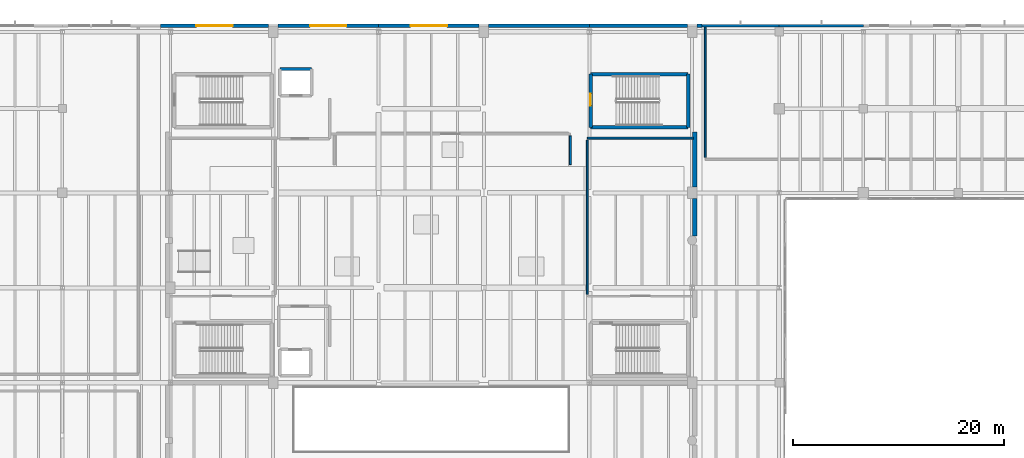
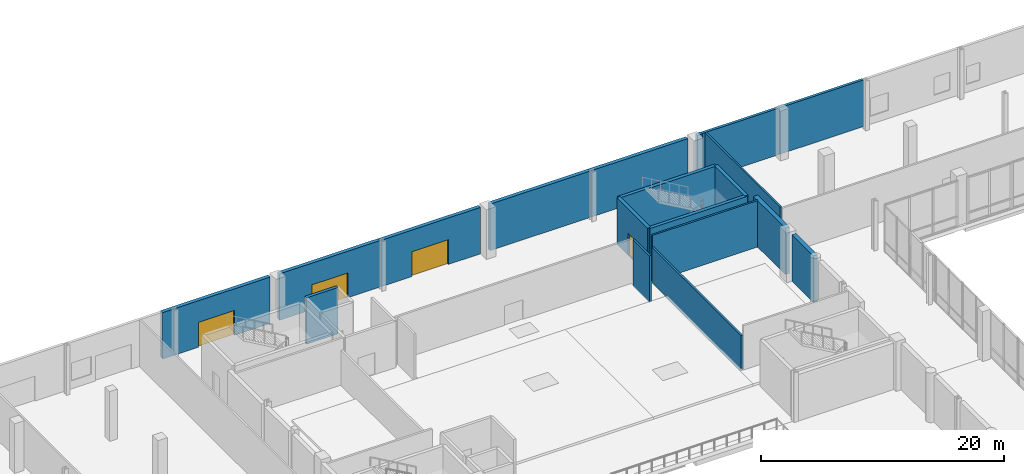
# One storey, part 73 of 88: 19 walls, 4 doors, 4 openings.
"""IFC4 building model written with IfcOpenShell, lengths in metres."""

from ifc_helpers import new_model, si_unit, direction, frame, frame_2d, origin, place, context, subcontext, project, spatial, rectangle, extrude, material, layer, layer_set, type_object, element, fill, save


model = new_model("IFC4")

# Units and contexts
model_context = context("Model", 3, precision=1e-05, world=origin(), true_north=direction((0.0, 1.0)))
body_context = subcontext(model_context, "Body", "Model", "MODEL_VIEW")
ifc_project = project(units=[si_unit("LENGTHUNIT", "METRE"), si_unit("AREAUNIT", "SQUARE_METRE"), si_unit("VOLUMEUNIT", "CUBIC_METRE"), si_unit("PLANEANGLEUNIT", "RADIAN"), si_unit("MASSUNIT", "GRAM", prefix="KILO")], contexts=[model_context])

# Site, building, storey
site_placement = place(None, origin())
site = spatial("IfcSite", under=ifc_project, at=site_placement, CompositionType="ELEMENT")
building_placement = place(site_placement, origin())
building = spatial("IfcBuilding", under=site, at=building_placement, Name="Trimount Lyric Opera House", CompositionType="ELEMENT")
storey_placement = place(building_placement, origin())
storey = spatial("IfcBuildingStorey", under=building, at=storey_placement, Name="L00", CompositionType="ELEMENT", Elevation=0.0)

# Walls
ifc_material_1 = material(Name="Acoustic Double-Stud Gypsum Board")
ifc_layer_1 = layer(ifc_material_1, 0.1650390625)
ifc_layer_set_1 = layer_set([ifc_layer_1], Name="WL-PT165")
wall_type_1 = type_object("IfcWallType", Name="WL-PT165", PredefinedType="PARTITIONING", material=ifc_layer_set_1)
wall_1_placement = place(storey_placement, frame((115.0, 117.719970703125, 0.0), z_axis=(0.0, 0.0, 1.0), x_axis=(0.0, -1.0, 0.0)))
element("IfcWall", 1, at=wall_1_placement, inside=storey, type_object=wall_type_1, Name="L00 Scenic Welding & Paint Frame Hall W partition", PredefinedType="PARTITIONING", context=body_context, shape_type="SweptSolid", body=[
    extrude(rectangle(XDim=12.35498046875, YDim=0.1650390625, at=frame_2d((6.177490234375, 0.0))), origin(), (0.0, 0.0, 1.0), 4.68994140625),
])
ifc_material_2 = material(Name="Acoustic Double-Stud Gypsum Board")
ifc_layer_2 = layer(ifc_material_2, 0.179931640625)
ifc_layer_set_2 = layer_set([ifc_layer_2], Name="WL-PT180")
wall_type_2 = type_object("IfcWallType", Name="WL-PT180", PredefinedType="PARTITIONING", material=ifc_layer_set_2)
wall_2_placement = place(storey_placement, frame((113.860107421875, 107.199951171875, 0.0), z_axis=(0.0, 0.0, 1.0), x_axis=(-1.0, 0.0, 0.0)))
element("IfcWall", 2, at=wall_2_placement, inside=storey, type_object=wall_type_2, Name="L00 East Side Stage N partition", PredefinedType="PARTITIONING", context=body_context, shape_type="SweptSolid", body=[
    extrude(rectangle(XDim=10.06005859375, YDim=0.179931640625, at=frame_2d((5.030029296875, 0.0))), origin(), (0.0, 0.0, 1.0), 4.675048828125),
])
wall_3_placement = place(storey_placement, frame((103.800048828125, 107.02001953125, 0.0), z_axis=(0.0, 0.0, 1.0), x_axis=(0.0, -1.0, 0.0)))
element("IfcWall", 3, at=wall_3_placement, inside=storey, type_object=wall_type_2, Name="L00 East Side Stage W partition", PredefinedType="PARTITIONING", context=body_context, shape_type="SweptSolid", body=[
    extrude(rectangle(XDim=14.64013671875, YDim=0.179931640625, at=frame_2d((7.320068359375, 0.0))), origin(), (0.0, 0.0, 1.0), 3.572998046875),
])
wall_4_placement = place(storey_placement, frame((102.199951171875, 104.679931640625, 0.0), z_axis=(0.0, 0.0, 1.0), x_axis=(0.0, 1.0, 0.0)))
element("IfcWall", 4, at=wall_4_placement, inside=storey, type_object=wall_type_2, Name="L00 Rear Stage E partition", PredefinedType="PARTITIONING", context=body_context, shape_type="SweptSolid", body=[
    extrude(rectangle(XDim=2.739990234375, YDim=0.179931640625, at=frame_2d((1.3701171875, 0.0))), origin(), (0.0, 0.0, 1.0), 4.675048828125),
])
ifc_material_3 = material(Name="Concrete C40/50", Category="concrete")
ifc_layer_3 = layer(ifc_material_3, 0.280029296875)
ifc_layer_set_3 = layer_set([ifc_layer_3], Name="WL-SH280")
wall_type_3 = type_object("IfcWallType", Name="WL-SH280", PredefinedType="SHEAR", material=ifc_layer_set_3)
wall_5_placement = place(storey_placement, frame((77.639892578125, 113.739990234375, 0.0), z_axis=(0.0, 0.0, 1.0), x_axis=(-1.0, 0.0, 0.0)))
element("IfcWall", 5, at=wall_5_placement, inside=storey, type_object=wall_type_3, Name="Lift LF-05 L00 north shaft wall", PredefinedType="SHEAR", context=body_context, shape_type="SweptSolid", body=[
    extrude(rectangle(XDim=2.97998046875, YDim=0.280029296875, at=frame_2d((1.489990234375, 0.0))), origin(), (0.0, 0.0, 1.0), 4.675048828125),
])
ifc_material_4 = material(Name="Concrete C40/50", Category="concrete")
ifc_layer_4 = layer(ifc_material_4, 0.320068359375)
ifc_layer_set_4 = layer_set([ifc_layer_4], Name="WL-SH320")
wall_type_4 = type_object("IfcWallType", Name="WL-SH320", PredefinedType="SHEAR", material=ifc_layer_set_4)
for number, where, z_axis, x_axis, name in (
    (6, (104.125, 108.22509765625, 0.0), (0.0, 0.0, 1.0), (1.0, 0.0, 0.0), "K2 L00 south shaft wall"),
    (7, (113.375, 113.27490234375, 0.0), (0.0, 0.0, 1.0), (-1.0, 0.0, 0.0), "K2 L00 north shaft wall"),
):
    element("IfcWall", number, at=place(storey_placement, frame(where, z_axis=z_axis, x_axis=x_axis)), inside=storey, type_object=wall_type_4, Name=name, PredefinedType="SHEAR", context=body_context, shape_type="SweptSolid", body=[
        extrude(rectangle(XDim=9.25, YDim=0.320068359375, at=frame_2d((4.625, 0.0))), origin(), (0.0, 0.0, 1.0), 4.675048828125),
    ])

# Wall, opening, door
wall_6_placement = place(storey_placement, frame((104.125, 113.27490234375, 0.0), z_axis=(0.0, 0.0, 1.0), x_axis=(0.0, -1.0, 0.0)))
wall_6 = element("IfcWall", 8, at=wall_6_placement, inside=storey, type_object=wall_type_4, Name="K2 L00 west shaft wall", PredefinedType="SHEAR", context=body_context, shape_type="SweptSolid", body=[
    extrude(rectangle(XDim=5.0498046875, YDim=0.320068359375, at=frame_2d((2.52490234375, 0.0))), origin(), (0.0, 0.0, 1.0), 4.675048828125),
])
opening_1_placement = place(wall_6_placement, frame((1.85009765625, 0.0, 0.0)))
opening_1 = element("IfcOpeningElement", 9, at=opening_1_placement, cuts=wall_6, Name="Opening DT-ST1", PredefinedType="OPENING", context=body_context, shape_type="SweptSolid", body=[
    extrude(rectangle(XDim=1.14990234375, YDim=2.199951171875, at=frame_2d((0.574951171875, 1.10009765625))), frame((0.0, 0.169921875, 0.0), z_axis=(0.0, -1.0, 0.0), x_axis=(1.0, 0.0, 0.0)), (0.0, 0.0, 1.0), 0.340087890625),
])
ifc_material_5 = material(Name="Fire-Rated Hollow Steel", Category="steel")
door_type_1 = type_object("IfcDoorType", Name="DT-ST1", OperationType="NOTDEFINED", PredefinedType="DOOR", material=ifc_material_5)
door_1_placement = place(opening_1_placement, origin())
door_1 = element("IfcDoor", 10, at=door_1_placement, inside=storey, type_object=door_type_1, Name="D-016", OperationType="SINGLE_SWING_RIGHT", OverallHeight=2.199951171875, OverallWidth=1.14990234375, PredefinedType="DOOR", context=body_context, shape_type="SweptSolid", body=[
    extrude(rectangle(XDim=1.14990234375, YDim=2.199951171875, at=frame_2d((0.574951171875, 1.10009765625))), frame((0.0, 0.02490234375, 0.0), z_axis=(0.0, -1.0, 0.0), x_axis=(1.0, 0.0, 0.0)), (0.0, 0.0, 1.0), 0.050048828125),
])
fill(opening_1, door_1)

# Wall
wall_7_placement = place(storey_placement, frame((113.375, 108.22509765625, 0.0), z_axis=(0.0, 0.0, 1.0), x_axis=(0.0, 1.0, 0.0)))
element("IfcWall", 11, at=wall_7_placement, inside=storey, type_object=wall_type_4, Name="K2 L00 east shaft wall", PredefinedType="SHEAR", context=body_context, shape_type="SweptSolid", body=[
    extrude(rectangle(XDim=5.0498046875, YDim=0.320068359375, at=frame_2d((2.52490234375, 0.0))), origin(), (0.0, 0.0, 1.0), 4.675048828125),
])

# Wall, opening, door
ifc_material_6 = material(Name="Concrete C40/50", Category="concrete")
ifc_layer_5 = layer(ifc_material_6, 0.35009765625)
ifc_layer_set_5 = layer_set([ifc_layer_5], Name="WL-SH350")
wall_type_5 = type_object("IfcWallType", Name="WL-SH350", PredefinedType="SHEAR", material=ifc_layer_set_5)
wall_8_placement = place(storey_placement, frame((63.320068359375, 117.860107421875, 0.0), z_axis=(0.0, 0.0, 1.0), x_axis=(1.0, 0.0, 0.0)))
wall_8 = element("IfcWall", 12, at=wall_8_placement, inside=storey, type_object=wall_type_5, Name="L00 exterior facade wall 113", PredefinedType="SHEAR", context=body_context, shape_type="SweptSolid", body=[
    extrude(rectangle(XDim=10.22998046875, YDim=0.35009765625, at=frame_2d((5.114990234375, 0.0))), origin(), (0.0, 0.0, 1.0), 4.675048828125),
])
opening_2_placement = place(wall_8_placement, frame((3.389892578125, 0.0, 0.0)))
opening_2 = element("IfcOpeningElement", 13, at=opening_2_placement, cuts=wall_8, Name="Opening DT-EXIT-1", PredefinedType="OPENING", context=body_context, shape_type="SweptSolid", body=[
    extrude(rectangle(XDim=3.449951171875, YDim=2.5, at=frame_2d((1.72509765625, 1.25))), frame((0.0, 0.18505859375, 0.0), z_axis=(0.0, -1.0, 0.0), x_axis=(1.0, 0.0, 0.0)), (0.0, 0.0, 1.0), 0.3701171875),
])
ifc_material_7 = material(Name="Anodised Bronze Glazed Assembly")
door_type_2 = type_object("IfcDoorType", Name="DT-EXIT-1", OperationType="DOUBLE_DOOR_SINGLE_SWING", PredefinedType="DOOR", material=ifc_material_7)
door_2_placement = place(opening_2_placement, origin())
door_2 = element("IfcDoor", 14, at=door_2_placement, inside=storey, type_object=door_type_2, Name="D-155", OperationType="DOUBLE_DOOR_SINGLE_SWING", OverallHeight=2.5, OverallWidth=3.449951171875, PredefinedType="DOOR", context=body_context, shape_type="SweptSolid", body=[
    extrude(rectangle(XDim=3.449951171875, YDim=2.5, at=frame_2d((1.72509765625, 1.25))), frame((0.0, 0.02490234375, 0.0), z_axis=(0.0, -1.0, 0.0), x_axis=(1.0, 0.0, 0.0)), (0.0, 0.0, 1.0), 0.050048828125),
])
fill(opening_2, door_2)

wall_9_placement = place(storey_placement, frame((74.449951171875, 117.860107421875, 0.0), z_axis=(0.0, 0.0, 1.0), x_axis=(1.0, 0.0, 0.0)))
wall_9 = element("IfcWall", 15, at=wall_9_placement, inside=storey, type_object=wall_type_5, Name="L00 exterior facade wall 114", PredefinedType="SHEAR", context=body_context, shape_type="SweptSolid", body=[
    extrude(rectangle(XDim=9.550048828125, YDim=0.35009765625, at=frame_2d((4.77490234375, 0.0))), origin(), (0.0, 0.0, 1.0), 4.675048828125),
])
opening_3_placement = place(wall_9_placement, frame((3.050048828125, 0.0, 0.0)))
opening_3 = element("IfcOpeningElement", 16, at=opening_3_placement, cuts=wall_9, Name="Opening DT-EXIT-1", PredefinedType="OPENING", context=body_context, shape_type="SweptSolid", body=[
    extrude(rectangle(XDim=3.449951171875, YDim=2.5, at=frame_2d((1.72509765625, 1.25))), frame((0.0, 0.18505859375, 0.0), z_axis=(0.0, -1.0, 0.0), x_axis=(1.0, 0.0, 0.0)), (0.0, 0.0, 1.0), 0.3701171875),
])
door_3_placement = place(opening_3_placement, origin())
door_3 = element("IfcDoor", 17, at=door_3_placement, inside=storey, type_object=door_type_2, Name="D-156", OperationType="DOUBLE_DOOR_SINGLE_SWING", OverallHeight=2.5, OverallWidth=3.449951171875, PredefinedType="DOOR", context=body_context, shape_type="SweptSolid", body=[
    extrude(rectangle(XDim=3.449951171875, YDim=2.5, at=frame_2d((1.72509765625, 1.25))), frame((0.0, 0.02490234375, 0.0), z_axis=(0.0, -1.0, 0.0), x_axis=(1.0, 0.0, 0.0)), (0.0, 0.0, 1.0), 0.050048828125),
])
fill(opening_3, door_3)

wall_10_placement = place(storey_placement, frame((84.0, 117.860107421875, 0.0), z_axis=(0.0, 0.0, 1.0), x_axis=(1.0, 0.0, 0.0)))
wall_10 = element("IfcWall", 18, at=wall_10_placement, inside=storey, type_object=wall_type_5, Name="L00 exterior facade wall 115", PredefinedType="SHEAR", context=body_context, shape_type="SweptSolid", body=[
    extrude(rectangle(XDim=9.550048828125, YDim=0.35009765625, at=frame_2d((4.77490234375, 0.0))), origin(), (0.0, 0.0, 1.0), 4.675048828125),
])
opening_4_placement = place(wall_10_placement, frame((3.050048828125, 0.0, 0.0)))
opening_4 = element("IfcOpeningElement", 19, at=opening_4_placement, cuts=wall_10, Name="Opening DT-EXIT-1", PredefinedType="OPENING", context=body_context, shape_type="SweptSolid", body=[
    extrude(rectangle(XDim=3.449951171875, YDim=2.5, at=frame_2d((1.72509765625, 1.25))), frame((0.0, 0.18505859375, 0.0), z_axis=(0.0, -1.0, 0.0), x_axis=(1.0, 0.0, 0.0)), (0.0, 0.0, 1.0), 0.3701171875),
])
door_4_placement = place(opening_4_placement, origin())
door_4 = element("IfcDoor", 20, at=door_4_placement, inside=storey, type_object=door_type_2, Name="D-157", OperationType="DOUBLE_DOOR_SINGLE_SWING", OverallHeight=2.5, OverallWidth=3.449951171875, PredefinedType="DOOR", context=body_context, shape_type="SweptSolid", body=[
    extrude(rectangle(XDim=3.449951171875, YDim=2.5, at=frame_2d((1.72509765625, 1.25))), frame((0.0, 0.02490234375, 0.0), z_axis=(0.0, -1.0, 0.0), x_axis=(1.0, 0.0, 0.0)), (0.0, 0.0, 1.0), 0.050048828125),
])
fill(opening_4, door_4)

# Walls
wall_11_placement = place(storey_placement, frame((94.449951171875, 117.860107421875, 0.0), z_axis=(0.0, 0.0, 1.0), x_axis=(1.0, 0.0, 0.0)))
element("IfcWall", 21, at=wall_11_placement, inside=storey, type_object=wall_type_5, Name="L00 exterior facade wall 116", PredefinedType="SHEAR", context=body_context, shape_type="SweptSolid", body=[
    extrude(rectangle(XDim=9.550048828125, YDim=0.35009765625, at=frame_2d((4.77490234375, 0.0))), origin(), (0.0, 0.0, 1.0), 4.675048828125),
])
wall_12_placement = place(storey_placement, frame((104.0, 117.860107421875, 0.0), z_axis=(0.0, 0.0, 1.0), x_axis=(1.0, 0.0, 0.0)))
element("IfcWall", 22, at=wall_12_placement, inside=storey, type_object=wall_type_5, Name="L00 exterior facade wall 117", PredefinedType="SHEAR", context=body_context, shape_type="SweptSolid", body=[
    extrude(rectangle(XDim=9.2900390625, YDim=0.35009765625, at=frame_2d((4.64501953125, 0.0))), origin(), (0.0, 0.0, 1.0), 4.675048828125),
])
wall_13_placement = place(storey_placement, frame((114.18994140625, 117.860107421875, 0.0), z_axis=(0.0, 0.0, 1.0), x_axis=(1.0, 0.0, 0.0)))
element("IfcWall", 23, at=wall_13_placement, inside=storey, type_object=wall_type_5, Name="L00 exterior facade wall 117", PredefinedType="SHEAR", context=body_context, shape_type="SweptSolid", body=[
    extrude(rectangle(XDim=0.489990234375, YDim=0.35009765625, at=frame_2d((0.2451171875, 0.0))), origin(), (0.0, 0.0, 1.0), 4.675048828125),
])
ifc_material_8 = material(Name="Concrete C40/50", Category="concrete")
ifc_layer_6 = layer(ifc_material_8, 0.39990234375)
ifc_layer_set_6 = layer_set([ifc_layer_6], Name="WL-SH400")
wall_type_6 = type_object("IfcWallType", Name="WL-SH400", PredefinedType="SHEAR", material=ifc_layer_set_6)
wall_14_placement = place(storey_placement, frame((114.0, 97.925048828125, 0.0), z_axis=(0.0, 0.0, 1.0), x_axis=(0.0, 1.0, 0.0)))
element("IfcWall", 24, at=wall_14_placement, inside=storey, type_object=wall_type_6, Name="L00 fly-tower east shear wall", PredefinedType="SHEAR", context=body_context, shape_type="SweptSolid", body=[
    extrude(rectangle(XDim=3.52490234375, YDim=0.39990234375, at=frame_2d((1.762451171875, 0.0))), origin(), (0.0, 0.0, 1.0), 4.675048828125),
])
wall_15_placement = place(storey_placement, frame((114.0, 102.550048828125, 0.0), z_axis=(0.0, 0.0, 1.0), x_axis=(0.0, 1.0, 0.0)))
element("IfcWall", 25, at=wall_15_placement, inside=storey, type_object=wall_type_6, Name="L00 fly-tower east shear wall", PredefinedType="SHEAR", context=body_context, shape_type="SweptSolid", body=[
    extrude(rectangle(XDim=5.25, YDim=0.39990234375, at=frame_2d((2.625, 0.0))), origin(), (0.0, 0.0, 1.0), 4.675048828125),
])
ifc_material_9 = material(Name="Concrete C35/45", Category="concrete")
ifc_layer_7 = layer(ifc_material_9, 0.25)
ifc_layer_set_7 = layer_set([ifc_layer_7], Name="WL-SW250")
wall_type_7 = type_object("IfcWallType", Name="WL-SW250", PredefinedType="SOLIDWALL", material=ifc_layer_set_7)
wall_16_placement = place(storey_placement, frame((114.679931640625, 117.860107421875, 0.0), z_axis=(0.0, 0.0, 1.0), x_axis=(1.0, 0.0, 0.0)))
element("IfcWall", 26, at=wall_16_placement, inside=storey, type_object=wall_type_7, Name="L00 exterior facade wall 118", PredefinedType="SOLIDWALL", context=body_context, shape_type="SweptSolid", body=[
    extrude(rectangle(XDim=7.320068359375, YDim=0.25, at=frame_2d((3.66015625, 0.0))), origin(), (0.0, 0.0, 1.0), 4.675048828125),
])
wall_17_placement = place(storey_placement, frame((122.0, 117.860107421875, 0.0), z_axis=(0.0, 0.0, 1.0), x_axis=(1.0, 0.0, 0.0)))
element("IfcWall", 27, at=wall_17_placement, inside=storey, type_object=wall_type_7, Name="L00 exterior facade wall 119", PredefinedType="SOLIDWALL", context=body_context, shape_type="SweptSolid", body=[
    extrude(rectangle(XDim=8.0, YDim=0.25, at=frame_2d((4.0, 0.0))), origin(), (0.0, 0.0, 1.0), 4.68994140625),
])

save(model, "model.ifc")
